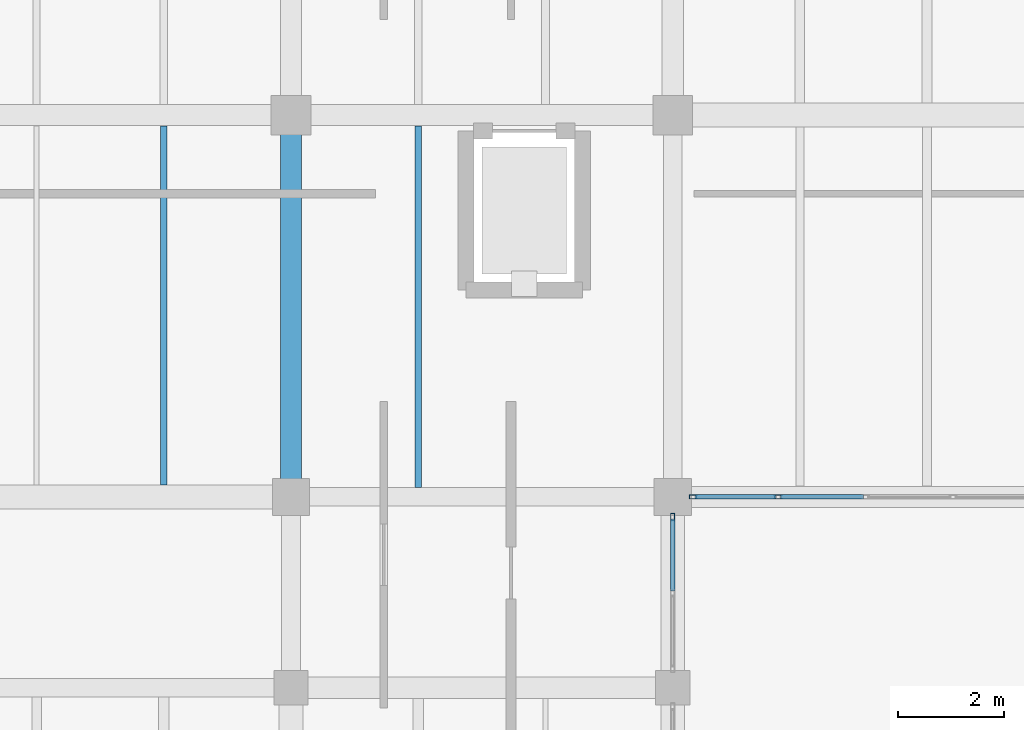
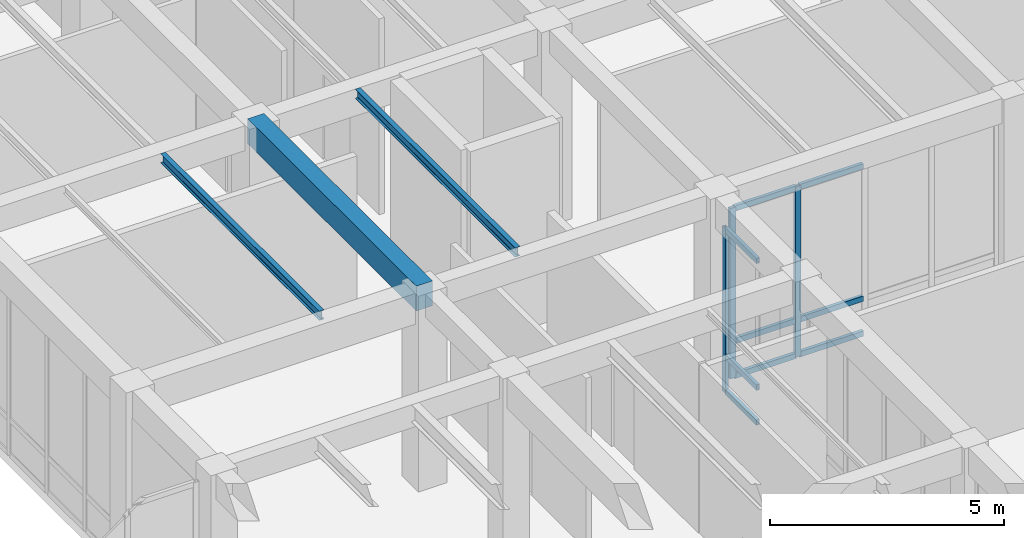
# One storey, part 99 of 169: 12 members, 3 beams, 2 elements without a shape of their own.
"""IFC4 building model written with IfcOpenShell, lengths in metres."""

from ifc_helpers import new_model, si_unit, direction, frame, origin, origin_2d, place, context, subcontext, project, spatial, rectangle, hollow_rectangle, i_section, extrude, material, layer, layer_set, material_profile, profile_set, type_object, element, aggregate, save


model = new_model("IFC4")

# Units and contexts
model_context = context("Model", 3, precision=1e-05, world=origin(), true_north=direction((0.0, 1.0)))
body_context = subcontext(model_context, "Body", "Model", "MODEL_VIEW")
ifc_project = project(units=[si_unit("LENGTHUNIT", "METRE"), si_unit("AREAUNIT", "SQUARE_METRE"), si_unit("VOLUMEUNIT", "CUBIC_METRE"), si_unit("PLANEANGLEUNIT", "RADIAN"), si_unit("MASSUNIT", "GRAM", prefix="KILO")], contexts=[model_context])

# Site, building, storey
site_placement = place(None, origin())
site = spatial("IfcSite", under=ifc_project, at=site_placement, CompositionType="ELEMENT")
building_placement = place(site_placement, origin())
building = spatial("IfcBuilding", under=site, at=building_placement, Name="Mazaris Harbour Polytechnic", CompositionType="ELEMENT")
storey_placement = place(building_placement, origin())
storey = spatial("IfcBuildingStorey", under=building, at=storey_placement, Name="L00", CompositionType="ELEMENT", Elevation=0.0)

# Curtain wall, members
ifc_material_1 = material(Name="Anodised Bronze Aluminium and Low-E Glass", Category="aluminium")
ifc_layer = layer(ifc_material_1, 0.169921875, Name="Anodised Bronze Aluminium and Low-E Glass")
ifc_layer_set = layer_set([ifc_layer], Name="Anodised Bronze Aluminium and Low-E Glass")
curtain_wall_type = type_object("IfcCurtainWallType", Name="Studio North-Light Curtain Wall", PredefinedType="NOTDEFINED", material=ifc_layer_set)
curtain_wall_1_placement = place(storey_placement, origin())
curtain_wall_1 = element("IfcCurtainWall", 1, at=curtain_wall_1_placement, inside=storey, type_object=curtain_wall_type, Name="V5 L00 Curtain Wall 194", PredefinedType="NOTDEFINED")
ifc_material_2 = material(Name="Anodised Bronze Steel S355", Category="steel")
ifc_material_profile_1 = material_profile(ifc_material_2, hollow_rectangle(XDim=0.080078125, YDim=0.139892578125, WallThickness=0.00634765625, at=origin_2d()), Name="RHS 80x140x6.3")
ifc_profile_set_1 = profile_set([ifc_material_profile_1], Name="Anodised Bronze Steel S355")
member_type_1 = type_object("IfcMemberType", Name="Curtain Mullion RHS80x140", PredefinedType="MULLION", material=ifc_profile_set_1)
member_1_placement = place(storey_placement, frame((138.789794921875, 86.39990234375, 0.0), z_axis=(0.0, 0.0, 1.0), x_axis=(0.0, -1.0, 0.0)))
member_1 = element("IfcMember", 2, at=member_1_placement, type_object=member_type_1, Name="CW-03 mullion 4", PredefinedType="MULLION", context=body_context, shape_type="SweptSolid", body=[
    extrude(hollow_rectangle(XDim=0.080078125, YDim=0.139892578125, WallThickness=0.00634765625, at=origin_2d()), origin(), (0.0, 0.0, 1.0), 4.43994140625),
])
member_2_placement = place(storey_placement, frame((137.181884765625, 86.39990234375, 0.0), z_axis=(0.0, 0.0, 1.0), x_axis=(0.0, -1.0, 0.0)))
member_2 = element("IfcMember", 3, at=member_2_placement, type_object=member_type_1, Name="CW-03 mullion 5", PredefinedType="MULLION", context=body_context, shape_type="SweptSolid", body=[
    extrude(hollow_rectangle(XDim=0.080078125, YDim=0.139892578125, WallThickness=0.00634765625, at=origin_2d()), origin(), (0.0, 0.0, 1.0), 4.43994140625),
])

# Curtain wall, member
curtain_wall_2_placement = place(storey_placement, origin())
curtain_wall_2 = element("IfcCurtainWall", 4, at=curtain_wall_2_placement, inside=storey, type_object=curtain_wall_type, Name="V5 L00 Curtain Wall 200", PredefinedType="NOTDEFINED")
member_3_placement = place(storey_placement, frame((136.800048828125, 86.01806640625, 0.0), z_axis=(0.0, 0.0, 1.0), x_axis=(-1.0, 0.0, 0.0)))
member_3 = element("IfcMember", 5, at=member_3_placement, type_object=member_type_1, Name="CW-03 mullion 3", PredefinedType="MULLION", context=body_context, shape_type="SweptSolid", body=[
    extrude(hollow_rectangle(XDim=0.080078125, YDim=0.139892578125, WallThickness=0.00634765625, at=origin_2d()), origin(), (0.0, 0.0, 1.0), 4.2900390625),
])

# Member
ifc_material_3 = material(Name="Anodised Bronze Steel S355", Category="steel")
ifc_material_profile_2 = material_profile(ifc_material_3, hollow_rectangle(XDim=0.080078125, YDim=0.139892578125, WallThickness=0.00634765625, at=origin_2d()), Name="RHS 80x140x6.3")
ifc_profile_set_2 = profile_set([ifc_material_profile_2], Name="Anodised Bronze Steel S355")
member_type_2 = type_object("IfcMemberType", Name="Curtain Transom RHS80x140", PredefinedType="USERDEFINED", material=ifc_profile_set_2)
member_4_placement = place(storey_placement, frame((140.3974609375, 86.39990234375, 0.0400390625), z_axis=(-1.0, 0.0, 0.0), x_axis=(0.0, -1.0, 0.0)))
member_4 = element("IfcMember", 6, at=member_4_placement, type_object=member_type_2, Name="CW-03 transom 3.1", ObjectType="TRANSOM", PredefinedType="USERDEFINED", context=body_context, shape_type="SweptSolid", body=[
    extrude(hollow_rectangle(XDim=0.080078125, YDim=0.139892578125, WallThickness=0.00634765625, at=origin_2d()), origin(), (0.0, 0.0, 1.0), 1.567626953125),
])

member_5_placement = place(storey_placement, frame((140.3974609375, 86.39990234375, 0.949951171875), z_axis=(-1.0, 0.0, 0.0), x_axis=(0.0, -1.0, 0.0)))
member_5 = element("IfcMember", 7, at=member_5_placement, type_object=member_type_2, Name="CW-03 transom 3.2", ObjectType="TRANSOM", PredefinedType="USERDEFINED", context=body_context, shape_type="SweptSolid", body=[
    extrude(hollow_rectangle(XDim=0.080078125, YDim=0.139892578125, WallThickness=0.00634765625, at=origin_2d()), origin(), (0.0, 0.0, 1.0), 1.567626953125),
])

member_6_placement = place(storey_placement, frame((140.3974609375, 86.39990234375, 4.39990234375), z_axis=(-1.0, 0.0, 0.0), x_axis=(0.0, -1.0, 0.0)))
member_6 = element("IfcMember", 8, at=member_6_placement, type_object=member_type_2, Name="CW-03 transom 3.3", ObjectType="TRANSOM", PredefinedType="USERDEFINED", context=body_context, shape_type="SweptSolid", body=[
    extrude(hollow_rectangle(XDim=0.080078125, YDim=0.139892578125, WallThickness=0.00634765625, at=origin_2d()), origin(), (0.0, 0.0, 1.0), 1.567626953125),
])

member_7_placement = place(storey_placement, frame((138.749755859375, 86.39990234375, 0.0400390625), z_axis=(-1.0, 0.0, 0.0), x_axis=(0.0, -1.0, 0.0)))
member_7 = element("IfcMember", 9, at=member_7_placement, type_object=member_type_2, Name="CW-03 transom 4.1", ObjectType="TRANSOM", PredefinedType="USERDEFINED", context=body_context, shape_type="SweptSolid", body=[
    extrude(hollow_rectangle(XDim=0.080078125, YDim=0.139892578125, WallThickness=0.00634765625, at=origin_2d()), origin(), (0.0, 0.0, 1.0), 1.52783203125),
])

member_8_placement = place(storey_placement, frame((138.749755859375, 86.39990234375, 0.949951171875), z_axis=(-1.0, 0.0, 0.0), x_axis=(0.0, -1.0, 0.0)))
member_8 = element("IfcMember", 10, at=member_8_placement, type_object=member_type_2, Name="CW-03 transom 4.2", ObjectType="TRANSOM", PredefinedType="USERDEFINED", context=body_context, shape_type="SweptSolid", body=[
    extrude(hollow_rectangle(XDim=0.080078125, YDim=0.139892578125, WallThickness=0.00634765625, at=origin_2d()), origin(), (0.0, 0.0, 1.0), 1.52783203125),
])

member_9_placement = place(storey_placement, frame((138.749755859375, 86.39990234375, 4.39990234375), z_axis=(-1.0, 0.0, 0.0), x_axis=(0.0, -1.0, 0.0)))
member_9 = element("IfcMember", 11, at=member_9_placement, type_object=member_type_2, Name="CW-03 transom 4.3", ObjectType="TRANSOM", PredefinedType="USERDEFINED", context=body_context, shape_type="SweptSolid", body=[
    extrude(hollow_rectangle(XDim=0.080078125, YDim=0.139892578125, WallThickness=0.00634765625, at=origin_2d()), origin(), (0.0, 0.0, 1.0), 1.52783203125),
])

aggregate(curtain_wall_1, [member_1, member_2, member_4, member_5, member_6, member_7, member_8, member_9])

member_10_placement = place(storey_placement, frame((136.800048828125, 84.62744140625, 0.0400390625), z_axis=(0.0, 1.0, 0.0), x_axis=(-1.0, 0.0, 0.0)))
member_10 = element("IfcMember", 12, at=member_10_placement, type_object=member_type_2, Name="CW-03 transom 2.1", ObjectType="TRANSOM", PredefinedType="USERDEFINED", context=body_context, shape_type="SweptSolid", body=[
    extrude(hollow_rectangle(XDim=0.080078125, YDim=0.139892578125, WallThickness=0.00634765625, at=origin_2d()), origin(), (0.0, 0.0, 1.0), 1.3505859375),
])

member_11_placement = place(storey_placement, frame((136.800048828125, 84.62744140625, 0.949951171875), z_axis=(0.0, 1.0, 0.0), x_axis=(-1.0, 0.0, 0.0)))
member_11 = element("IfcMember", 13, at=member_11_placement, type_object=member_type_2, Name="CW-03 transom 2.2", ObjectType="TRANSOM", PredefinedType="USERDEFINED", context=body_context, shape_type="SweptSolid", body=[
    extrude(hollow_rectangle(XDim=0.080078125, YDim=0.139892578125, WallThickness=0.00634765625, at=origin_2d()), origin(), (0.0, 0.0, 1.0), 1.3505859375),
])

member_12_placement = place(storey_placement, frame((136.800048828125, 84.62744140625, 4.25), z_axis=(0.0, 1.0, 0.0), x_axis=(-1.0, 0.0, 0.0)))
member_12 = element("IfcMember", 14, at=member_12_placement, type_object=member_type_2, Name="CW-03 transom 2.3", ObjectType="TRANSOM", PredefinedType="USERDEFINED", context=body_context, shape_type="SweptSolid", body=[
    extrude(hollow_rectangle(XDim=0.080078125, YDim=0.139892578125, WallThickness=0.00634765625, at=origin_2d()), origin(), (0.0, 0.0, 1.0), 1.3505859375),
])

aggregate(curtain_wall_2, [member_3, member_10, member_11, member_12])

# Beams
ifc_material_4 = material(Name="Concrete C35/45", Category="concrete")
ifc_material_profile_3 = material_profile(ifc_material_4, rectangle(XDim=0.39990234375, YDim=0.64990234375, at=origin_2d()), Name="RECT400x650")
ifc_profile_set_3 = profile_set([ifc_material_profile_3], Name="Concrete C35/45")
beam_type_1 = type_object("IfcBeamType", Name="RC Girder 400x650", PredefinedType="BEAM", material=ifc_profile_set_3)
beam_1_placement = place(storey_placement, frame((129.60009765625, 86.39990234375, 4.77490234375), z_axis=(0.0, 1.0, 0.0), x_axis=(-1.0, 0.0, 0.0)))
element("IfcBeam", 15, at=beam_1_placement, inside=storey, type_object=beam_type_1, Name="V5 L00 Tie Girder 2771", PredefinedType="BEAM", context=body_context, shape_type="SweptSolid", body=[
    extrude(rectangle(XDim=0.39990234375, YDim=0.64990234375, at=origin_2d()), origin(), (0.0, 0.0, 1.0), 7.2001953125),
])
ifc_material_5 = material(Name="Steel S355", Category="steel")
ifc_material_profile_4 = material_profile(ifc_material_5, i_section(OverallWidth=0.1201171875, OverallDepth=0.239990234375, WebThickness=0.006103515625, FlangeThickness=0.009765625, FilletRadius=0.014892578125, at=origin_2d()), Name="IPE 240")
ifc_profile_set_4 = profile_set([ifc_material_profile_4], Name="Steel S355")
beam_type_2 = type_object("IfcBeamType", Name="Steel Joist IPE240", PredefinedType="JOIST", material=ifc_profile_set_4)
beam_2_placement = place(storey_placement, frame((127.199951171875, 86.625, 4.97998046875), z_axis=(0.0, 1.0, 0.0), x_axis=(-1.0, 0.0, 0.0)))
element("IfcBeam", 16, at=beam_2_placement, inside=storey, type_object=beam_type_2, Name="V5 L00 Floor Joist 2829", PredefinedType="JOIST", context=body_context, shape_type="SweptSolid", body=[
    extrude(i_section(OverallWidth=0.1201171875, OverallDepth=0.239990234375, WebThickness=0.006103515625, FlangeThickness=0.009765625, FilletRadius=0.014892578125, at=origin_2d()), origin(), (0.0, 0.0, 1.0), 6.77490234375),
])
beam_3_placement = place(storey_placement, frame((132.0, 86.574951171875, 4.97998046875), z_axis=(0.0, 1.0, 0.0), x_axis=(-1.0, 0.0, 0.0)))
element("IfcBeam", 17, at=beam_3_placement, inside=storey, type_object=beam_type_2, Name="V5 L00 Floor Joist 2843", PredefinedType="JOIST", context=body_context, shape_type="SweptSolid", body=[
    extrude(i_section(OverallWidth=0.1201171875, OverallDepth=0.239990234375, WebThickness=0.006103515625, FlangeThickness=0.009765625, FilletRadius=0.014892578125, at=origin_2d()), origin(), (0.0, 0.0, 1.0), 6.824951171875),
])

save(model, "model.ifc")
